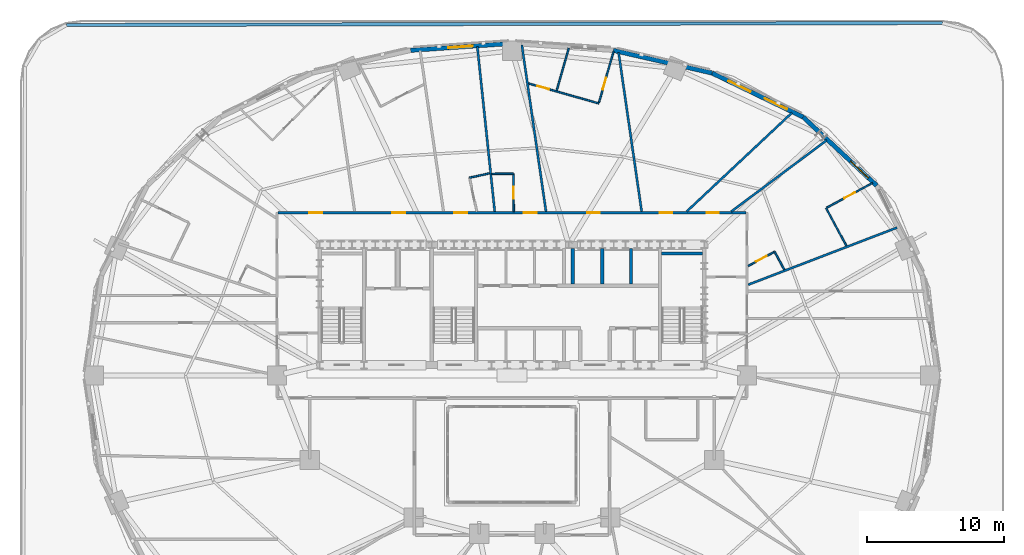
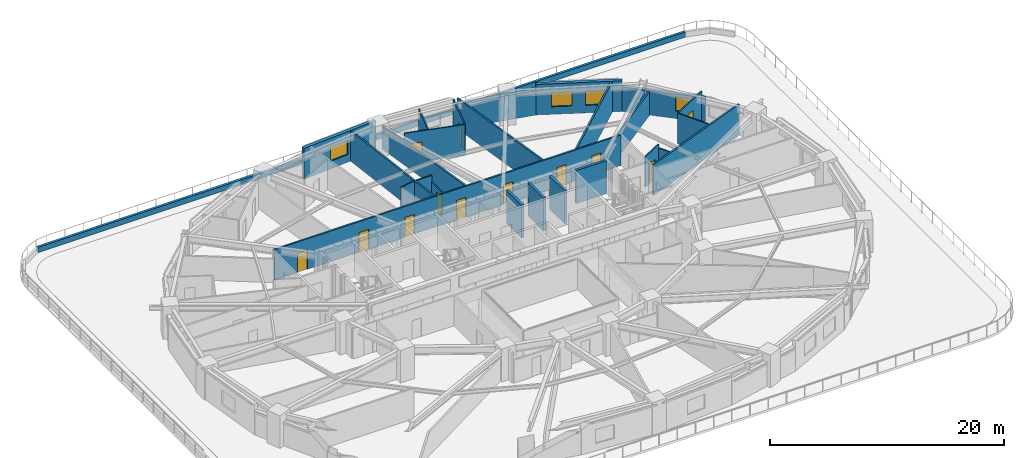
# One storey, part 11 of 18: 26 walls, 12 doors, 4 windows, 16 openings.
"""IFC4 building model written with IfcOpenShell, lengths in metres."""

from ifc_helpers import new_model, si_unit, direction, frame, frame_2d, origin, place, context, subcontext, project, spatial, rectangle, extrude, material, layer, layer_set, type_object, element, fill, save


model = new_model("IFC4")

# Units and contexts
model_context = context("Model", 3, precision=1e-05, world=origin(), true_north=direction((0.0, 1.0)))
body_context = subcontext(model_context, "Body", "Model", "MODEL_VIEW")
ifc_project = project(units=[si_unit("LENGTHUNIT", "METRE"), si_unit("AREAUNIT", "SQUARE_METRE"), si_unit("VOLUMEUNIT", "CUBIC_METRE"), si_unit("PLANEANGLEUNIT", "RADIAN"), si_unit("MASSUNIT", "GRAM", prefix="KILO")], contexts=[model_context])

# Site, building, storey
site_placement = place(None, origin())
site = spatial("IfcSite", under=ifc_project, at=site_placement, CompositionType="ELEMENT")
building_placement = place(site_placement, origin())
building = spatial("IfcBuilding", under=site, at=building_placement, Name="Haldorwick Loom Tower", CompositionType="ELEMENT")
storey_placement = place(building_placement, frame((0.0, 0.0, 24.0)))
storey = spatial("IfcBuildingStorey", under=building, at=storey_placement, Name="L05", CompositionType="ELEMENT", Elevation=24.0)

# Wall, opening, window
ifc_material_1 = material(Name="Pressed Clay Face Brick and Insulated Masonry Backup Assembly", Category="masonry")
ifc_layer_1 = layer(ifc_material_1, 0.320068359375, Name="Pressed Clay Face Brick and Insulated Masonry Backup Assembly", Category="masonry")
ifc_layer_set_1 = layer_set([ifc_layer_1], Name="Pressed Clay Face Brick and Insulated Masonry Backup Assembly")
wall_type_1 = type_object("IfcWallType", Name="ARC-WL-EXT320", PredefinedType="STANDARD", material=ifc_layer_set_1)
wall_1_placement = place(storey_placement, frame((62.688720703125, 39.880859375, 0.0), z_axis=(0.0, 0.0, 1.0), x_axis=(-0.73176101237, 0.681561311091, 0.0)))
wall_1 = element("IfcWall", 1, at=wall_1_placement, inside=storey, type_object=wall_type_1, Name="L05 Brick Pier and Spandrel Wall 3", PredefinedType="STANDARD", context=body_context, shape_type="SweptSolid", body=[
    extrude(rectangle(XDim=7.3583984375, YDim=0.320068359375, at=frame_2d((3.67919921875, 0.0))), origin(), (0.0, 0.0, 1.0), 2.569091796875),
])
opening_1_placement = place(wall_1_placement, frame((0.82177734375, 0.0, 0.800048828125)))
opening_1 = element("IfcOpeningElement", 2, at=opening_1_placement, cuts=wall_1, Name="Opening W-01", PredefinedType="OPENING", context=body_context, shape_type="SweptSolid", body=[
    extrude(rectangle(XDim=1.800048828125, YDim=1.47998046875, at=frame_2d((0.89990234375, 0.739990234375))), frame((0.0, 0.169921875, 0.0), z_axis=(0.0, -1.0, 0.0), x_axis=(1.0, 0.0, 0.0)), (0.0, 0.0, 1.0), 0.340087890625),
])
ifc_material_2 = material(Name="Triple-Glazed Low-E Argon Insulated Glazing Unit", Category="glass")
window_type = type_object("IfcWindowType", Name="ARC-WIN-W180", PartitioningType="SINGLE_PANEL", PredefinedType="WINDOW", material=ifc_material_2)
window_1_placement = place(opening_1_placement, origin())
window_1 = element("IfcWindow", 3, at=window_1_placement, inside=storey, type_object=window_type, Name="L05 Deep-Set Zone 7A Window 3", OverallHeight=1.47998046875, OverallWidth=1.800048828125, PartitioningType="SINGLE_PANEL", PredefinedType="WINDOW", context=body_context, shape_type="SweptSolid", body=[
    extrude(rectangle(XDim=1.800048828125, YDim=1.47998046875, at=frame_2d((0.89990234375, 0.739990234375))), frame((0.0, 0.030029296875, 0.0), z_axis=(0.0, -1.0, 0.0), x_axis=(1.0, 0.0, 0.0)), (0.0, 0.0, 1.0), 0.06005859375),
])
fill(opening_1, window_1)

# Wall, openings, windows
wall_2_placement = place(storey_placement, frame((57.30419921875, 44.89599609375, 0.0), z_axis=(0.0, 0.0, 1.0), x_axis=(-0.900295710431, 0.435278800057, 0.0)))
wall_2 = element("IfcWall", 4, at=wall_2_placement, inside=storey, type_object=wall_type_1, Name="L05 Brick Pier and Spandrel Wall 4", PredefinedType="STANDARD", context=body_context, shape_type="SweptSolid", body=[
    extrude(rectangle(XDim=7.39697265625, YDim=0.320068359375, at=frame_2d((3.698486328125, 0.0))), origin(), (0.0, 0.0, 1.0), 3.2099609375),
])
opening_2_placement = place(wall_2_placement, frame((1.319091796875, 0.0, 0.800048828125)))
opening_2 = element("IfcOpeningElement", 5, at=opening_2_placement, cuts=wall_2, Name="Opening W-01", PredefinedType="OPENING", context=body_context, shape_type="SweptSolid", body=[
    extrude(rectangle(XDim=1.800048828125, YDim=1.47998046875, at=frame_2d((0.89990234375, 0.739990234375))), frame((0.0, 0.169921875, 0.0), z_axis=(0.0, -1.0, 0.0), x_axis=(1.0, 0.0, 0.0)), (0.0, 0.0, 1.0), 0.340087890625),
])
opening_3_placement = place(wall_2_placement, frame((4.27783203125, 0.0, 0.800048828125)))
opening_3 = element("IfcOpeningElement", 6, at=opening_3_placement, cuts=wall_2, Name="Opening W-01", PredefinedType="OPENING", context=body_context, shape_type="SweptSolid", body=[
    extrude(rectangle(XDim=1.800048828125, YDim=1.47998046875, at=frame_2d((0.89990234375, 0.739990234375))), frame((0.0, 0.169921875, 0.0), z_axis=(0.0, -1.0, 0.0), x_axis=(1.0, 0.0, 0.0)), (0.0, 0.0, 1.0), 0.340087890625),
])
window_2_placement = place(opening_2_placement, origin())
window_2 = element("IfcWindow", 7, at=window_2_placement, inside=storey, type_object=window_type, Name="L05 Deep-Set Zone 7A Window 4", OverallHeight=1.47998046875, OverallWidth=1.800048828125, PartitioningType="SINGLE_PANEL", PredefinedType="WINDOW", context=body_context, shape_type="SweptSolid", body=[
    extrude(rectangle(XDim=1.800048828125, YDim=1.47998046875, at=frame_2d((0.89990234375, 0.739990234375))), frame((0.0, 0.030029296875, 0.0), z_axis=(0.0, -1.0, 0.0), x_axis=(1.0, 0.0, 0.0)), (0.0, 0.0, 1.0), 0.06005859375),
])
fill(opening_2, window_2)
window_3_placement = place(opening_3_placement, origin())
window_3 = element("IfcWindow", 8, at=window_3_placement, inside=storey, type_object=window_type, Name="L05 Deep-Set Zone 7A Window 4", OverallHeight=1.47998046875, OverallWidth=1.800048828125, PartitioningType="SINGLE_PANEL", PredefinedType="WINDOW", context=body_context, shape_type="SweptSolid", body=[
    extrude(rectangle(XDim=1.800048828125, YDim=1.47998046875, at=frame_2d((0.89990234375, 0.739990234375))), frame((0.0, 0.030029296875, 0.0), z_axis=(0.0, -1.0, 0.0), x_axis=(1.0, 0.0, 0.0)), (0.0, 0.0, 1.0), 0.06005859375),
])
fill(opening_3, window_3)

# Wall
wall_3_placement = place(storey_placement, frame((50.644775390625, 48.11572265625, 0.0), z_axis=(0.0, 0.0, 1.0), x_axis=(-0.974522412345, 0.224290142088, 0.0)))
element("IfcWall", 9, at=wall_3_placement, inside=storey, type_object=wall_type_1, Name="L05 Brick Pier and Spandrel Wall 5", PredefinedType="STANDARD", context=body_context, shape_type="SweptSolid", body=[
    extrude(rectangle(XDim=7.422607421875, YDim=0.320068359375, at=frame_2d((3.71142578125, 0.0))), origin(), (0.0, 0.0, 1.0), 2.569091796875),
])

# Wall, opening, window
wall_4_placement = place(storey_placement, frame((36.0, 50.2900390625, 0.0), z_axis=(0.0, 0.0, 1.0), x_axis=(-0.997645161917, -0.068586667092, 0.0)))
wall_4 = element("IfcWall", 10, at=wall_4_placement, inside=storey, type_object=wall_type_1, Name="L05 Brick Pier and Spandrel Wall 7", PredefinedType="STANDARD", context=body_context, shape_type="SweptSolid", body=[
    extrude(rectangle(XDim=7.428955078125, YDim=0.320068359375, at=frame_2d((3.71435546875, 0.0))), origin(), (0.0, 0.0, 1.0), 3.2099609375),
])
opening_4_placement = place(wall_4_placement, frame((2.874755859375, 0.0, 0.800048828125)))
opening_4 = element("IfcOpeningElement", 11, at=opening_4_placement, cuts=wall_4, Name="Opening W-01", PredefinedType="OPENING", context=body_context, shape_type="SweptSolid", body=[
    extrude(rectangle(XDim=1.800048828125, YDim=1.47998046875, at=frame_2d((0.89990234375, 0.739990234375))), frame((0.0, 0.169921875, 0.0), z_axis=(0.0, -1.0, 0.0), x_axis=(1.0, 0.0, 0.0)), (0.0, 0.0, 1.0), 0.340087890625),
])
window_4_placement = place(opening_4_placement, origin())
window_4 = element("IfcWindow", 12, at=window_4_placement, inside=storey, type_object=window_type, Name="L05 Deep-Set Zone 7A Window 7", OverallHeight=1.47998046875, OverallWidth=1.800048828125, PartitioningType="SINGLE_PANEL", PredefinedType="WINDOW", context=body_context, shape_type="SweptSolid", body=[
    extrude(rectangle(XDim=1.800048828125, YDim=1.47998046875, at=frame_2d((0.89990234375, 0.739990234375))), frame((0.0, 0.030029296875, 0.0), z_axis=(0.0, -1.0, 0.0), x_axis=(1.0, 0.0, 0.0)), (0.0, 0.0, 1.0), 0.06005859375),
])
fill(opening_4, window_4)

# Wall, openings, doors
ifc_material_3 = material(Name="Fire-Rated Type X Gypsum Stud Assembly EI 60")
ifc_layer_2 = layer(ifc_material_3, 0.159912109375, Name="Fire-Rated Type X Gypsum Stud Assembly EI 60")
ifc_layer_set_2 = layer_set([ifc_layer_2], Name="Fire-Rated Type X Gypsum Stud Assembly EI 60")
wall_type_2 = type_object("IfcWallType", Name="ARC-WL-FIRE160", PredefinedType="PARTITIONING", material=ifc_layer_set_2)
wall_5_placement = place(storey_placement, frame((18.883056640625, 37.89990234375, 0.0), z_axis=(0.0, 0.0, 1.0), x_axis=(1.0, 0.0, 0.0)))
wall_5 = element("IfcWall", 13, at=wall_5_placement, inside=storey, type_object=wall_type_2, Name="L05 Residential Fire Partition L05-CR-N0", PredefinedType="PARTITIONING", context=body_context, shape_type="SweptSolid", body=[
    extrude(rectangle(XDim=34.23388671875, YDim=0.159912109375, at=frame_2d((17.116943359375, 0.0))), origin(), (0.0, 0.0, 1.0), 3.195068359375),
])
opening_5_placement = place(wall_5_placement, frame((22.605224609375, 0.0, 0.0)))
opening_5 = element("IfcOpeningElement", 14, at=opening_5_placement, cuts=wall_5, Name="Opening D-FL95", PredefinedType="OPENING", context=body_context, shape_type="SweptSolid", body=[
    extrude(rectangle(XDim=0.949951171875, YDim=2.0400390625, at=frame_2d((0.47509765625, 1.02001953125))), frame((0.0, 0.08984375, 0.0), z_axis=(0.0, -1.0, 0.0), x_axis=(1.0, 0.0, 0.0)), (0.0, 0.0, 1.0), 0.179931640625),
])
opening_6_placement = place(wall_5_placement, frame((8.359619140625, 0.0, 0.0)))
opening_6 = element("IfcOpeningElement", 15, at=opening_6_placement, cuts=wall_5, Name="Opening D-FL95", PredefinedType="OPENING", context=body_context, shape_type="SweptSolid", body=[
    extrude(rectangle(XDim=0.949951171875, YDim=2.0400390625, at=frame_2d((0.47509765625, 1.02001953125))), frame((0.0, 0.08984375, 0.0), z_axis=(0.0, -1.0, 0.0), x_axis=(1.0, 0.0, 0.0)), (0.0, 0.0, 1.0), 0.179931640625),
])
opening_7_placement = place(wall_5_placement, frame((2.285888671875, 0.0, 0.0)))
opening_7 = element("IfcOpeningElement", 16, at=opening_7_placement, cuts=wall_5, Name="Opening D-FL95", PredefinedType="OPENING", context=body_context, shape_type="SweptSolid", body=[
    extrude(rectangle(XDim=0.949951171875, YDim=2.0400390625, at=frame_2d((0.47509765625, 1.02001953125))), frame((0.0, 0.08984375, 0.0), z_axis=(0.0, -1.0, 0.0), x_axis=(1.0, 0.0, 0.0)), (0.0, 0.0, 1.0), 0.179931640625),
])
opening_8_placement = place(wall_5_placement, frame((27.93115234375, 0.0, 0.0)))
opening_8 = element("IfcOpeningElement", 17, at=opening_8_placement, cuts=wall_5, Name="Opening D-FD60A", PredefinedType="OPENING", context=body_context, shape_type="SweptSolid", body=[
    extrude(rectangle(XDim=0.89990234375, YDim=2.0, at=frame_2d((0.449951171875, 1.0))), frame((0.0, 0.08984375, 0.0), z_axis=(0.0, -1.0, 0.0), x_axis=(1.0, 0.0, 0.0)), (0.0, 0.0, 1.0), 0.179931640625),
])
opening_9_placement = place(wall_5_placement, frame((31.3544921875, 0.0, 0.0)))
opening_9 = element("IfcOpeningElement", 18, at=opening_9_placement, cuts=wall_5, Name="Opening D-FD60A", PredefinedType="OPENING", context=body_context, shape_type="SweptSolid", body=[
    extrude(rectangle(XDim=0.89990234375, YDim=2.0, at=frame_2d((0.449951171875, 1.0))), frame((0.0, 0.08984375, 0.0), z_axis=(0.0, -1.0, 0.0), x_axis=(1.0, 0.0, 0.0)), (0.0, 0.0, 1.0), 0.179931640625),
])
opening_10_placement = place(wall_5_placement, frame((17.96728515625, 0.0, 0.0)))
opening_10 = element("IfcOpeningElement", 19, at=opening_10_placement, cuts=wall_5, Name="Opening D-FL95", PredefinedType="OPENING", context=body_context, shape_type="SweptSolid", body=[
    extrude(rectangle(XDim=0.949951171875, YDim=2.0400390625, at=frame_2d((0.47509765625, 1.02001953125))), frame((0.0, 0.08984375, 0.0), z_axis=(0.0, -1.0, 0.0), x_axis=(1.0, 0.0, 0.0)), (0.0, 0.0, 1.0), 0.179931640625),
])
opening_11_placement = place(wall_5_placement, frame((12.88720703125, 0.0, 0.0)))
opening_11 = element("IfcOpeningElement", 20, at=opening_11_placement, cuts=wall_5, Name="Opening D-FL95", PredefinedType="OPENING", context=body_context, shape_type="SweptSolid", body=[
    extrude(rectangle(XDim=0.949951171875, YDim=2.0400390625, at=frame_2d((0.47509765625, 1.02001953125))), frame((0.0, 0.08984375, 0.0), z_axis=(0.0, -1.0, 0.0), x_axis=(1.0, 0.0, 0.0)), (0.0, 0.0, 1.0), 0.179931640625),
])
ifc_material_4 = material(Name="Hollow Steel Fire Door Assembly", Category="steel")
door_type_1 = type_object("IfcDoorType", Name="ARC-DR-FD60-90", OperationType="NOTDEFINED", PredefinedType="DOOR", material=ifc_material_4)
door_1_placement = place(opening_8_placement, frame((0.89990234375, 0.0, 0.0), z_axis=(0.0, 0.0, 1.0), x_axis=(-1.0, 0.0, 0.0)))
door_1 = element("IfcDoor", 21, at=door_1_placement, inside=storey, type_object=door_type_1, Name="L05 Community Library Hall 12 to L05 North Residential Corridor Door", OperationType="SINGLE_SWING_LEFT", OverallHeight=2.0, OverallWidth=0.89990234375, PredefinedType="DOOR", context=body_context, shape_type="SweptSolid", body=[
    extrude(rectangle(XDim=0.89990234375, YDim=2.0, at=frame_2d((0.449951171875, 1.0))), frame((0.0, 0.02490234375, 0.0), z_axis=(0.0, -1.0, 0.0), x_axis=(1.0, 0.0, 0.0)), (0.0, 0.0, 1.0), 0.050048828125),
])
fill(opening_8, door_1)
door_2_placement = place(opening_9_placement, frame((0.89990234375, 0.0, 0.0), z_axis=(0.0, 0.0, 1.0), x_axis=(-1.0, 0.0, 0.0)))
door_2 = element("IfcDoor", 22, at=door_2_placement, inside=storey, type_object=door_type_1, Name="L05 Remote Work Office 20 to L05 North Residential Corridor Door", OperationType="SINGLE_SWING_LEFT", OverallHeight=2.0, OverallWidth=0.89990234375, PredefinedType="DOOR", context=body_context, shape_type="SweptSolid", body=[
    extrude(rectangle(XDim=0.89990234375, YDim=2.0, at=frame_2d((0.449951171875, 1.0))), frame((0.0, 0.02490234375, 0.0), z_axis=(0.0, -1.0, 0.0), x_axis=(1.0, 0.0, 0.0)), (0.0, 0.0, 1.0), 0.050048828125),
])
fill(opening_9, door_2)
ifc_material_5 = material(Name="Solid Core Birch Architectural Door")
door_type_2 = type_object("IfcDoorType", Name="ARC-DR-FLAT95", OperationType="NOTDEFINED", PredefinedType="DOOR", material=ifc_material_5)
door_3_placement = place(opening_5_placement, frame((0.949951171875, 0.0, 0.0), z_axis=(0.0, 0.0, 1.0), x_axis=(-1.0, 0.0, 0.0)))
door_3 = element("IfcDoor", 23, at=door_3_placement, inside=storey, type_object=door_type_2, Name="L05 Unit 05F Kitchen and Living Room to L05 North Residential Corridor D", OperationType="SINGLE_SWING_LEFT", OverallHeight=2.0400390625, OverallWidth=0.949951171875, PredefinedType="DOOR", context=body_context, shape_type="SweptSolid", body=[
    extrude(rectangle(XDim=0.949951171875, YDim=2.0400390625, at=frame_2d((0.47509765625, 1.02001953125))), frame((0.0, 0.02490234375, 0.0), z_axis=(0.0, -1.0, 0.0), x_axis=(1.0, 0.0, 0.0)), (0.0, 0.0, 1.0), 0.050048828125),
])
fill(opening_5, door_3)
door_4_placement = place(opening_6_placement, frame((0.949951171875, 0.0, 0.0), z_axis=(0.0, 0.0, 1.0), x_axis=(-1.0, 0.0, 0.0)))
door_4 = element("IfcDoor", 24, at=door_4_placement, inside=storey, type_object=door_type_2, Name="L05 Unit 05E Kitchen and Studio Living Room to L05 North Residential Cor", OperationType="SINGLE_SWING_RIGHT", OverallHeight=2.0400390625, OverallWidth=0.949951171875, PredefinedType="DOOR", context=body_context, shape_type="SweptSolid", body=[
    extrude(rectangle(XDim=0.949951171875, YDim=2.0400390625, at=frame_2d((0.47509765625, 1.02001953125))), frame((0.0, 0.02490234375, 0.0), z_axis=(0.0, -1.0, 0.0), x_axis=(1.0, 0.0, 0.0)), (0.0, 0.0, 1.0), 0.050048828125),
])
fill(opening_6, door_4)
door_5_placement = place(opening_7_placement, frame((0.949951171875, 0.0, 0.0), z_axis=(0.0, 0.0, 1.0), x_axis=(-1.0, 0.0, 0.0)))
door_5 = element("IfcDoor", 25, at=door_5_placement, inside=storey, type_object=door_type_2, Name="L05 Unit 05J Kitchen and Living Room to L05 North Residential Corridor D", OperationType="SINGLE_SWING_LEFT", OverallHeight=2.0400390625, OverallWidth=0.949951171875, PredefinedType="DOOR", context=body_context, shape_type="SweptSolid", body=[
    extrude(rectangle(XDim=0.949951171875, YDim=2.0400390625, at=frame_2d((0.47509765625, 1.02001953125))), frame((0.0, 0.02490234375, 0.0), z_axis=(0.0, -1.0, 0.0), x_axis=(1.0, 0.0, 0.0)), (0.0, 0.0, 1.0), 0.050048828125),
])
fill(opening_7, door_5)
door_6_placement = place(opening_10_placement, frame((0.949951171875, 0.0, 0.0), z_axis=(0.0, 0.0, 1.0), x_axis=(-1.0, 0.0, 0.0)))
door_6 = element("IfcDoor", 26, at=door_6_placement, inside=storey, type_object=door_type_2, Name="L05 Unit 05G Kitchen and Studio Living Room to L05 North Residential Cor", OperationType="SINGLE_SWING_LEFT", OverallHeight=2.0400390625, OverallWidth=0.949951171875, PredefinedType="DOOR", context=body_context, shape_type="SweptSolid", body=[
    extrude(rectangle(XDim=0.949951171875, YDim=2.0400390625, at=frame_2d((0.47509765625, 1.02001953125))), frame((0.0, 0.02490234375, 0.0), z_axis=(0.0, -1.0, 0.0), x_axis=(1.0, 0.0, 0.0)), (0.0, 0.0, 1.0), 0.050048828125),
])
fill(opening_10, door_6)
door_7_placement = place(opening_11_placement, frame((0.949951171875, 0.0, 0.0), z_axis=(0.0, 0.0, 1.0), x_axis=(-1.0, 0.0, 0.0)))
door_7 = element("IfcDoor", 27, at=door_7_placement, inside=storey, type_object=door_type_2, Name="L05 Unit 05H Kitchen and Studio Living Room to L05 North Residential Cor", OperationType="SINGLE_SWING_RIGHT", OverallHeight=2.0400390625, OverallWidth=0.949951171875, PredefinedType="DOOR", context=body_context, shape_type="SweptSolid", body=[
    extrude(rectangle(XDim=0.949951171875, YDim=2.0400390625, at=frame_2d((0.47509765625, 1.02001953125))), frame((0.0, 0.02490234375, 0.0), z_axis=(0.0, -1.0, 0.0), x_axis=(1.0, 0.0, 0.0)), (0.0, 0.0, 1.0), 0.050048828125),
])
fill(opening_11, door_7)

# Walls
wall_6_placement = place(storey_placement, frame((38.488037109375, 37.98291015625, 0.0), z_axis=(0.0, 0.0, 1.0), x_axis=(-0.143532305052, 0.989645632237, 0.0)))
element("IfcWall", 28, at=wall_6_placement, inside=storey, type_object=wall_type_2, Name="L05 Residential Fire Partition L05-UPN-17", PredefinedType="PARTITIONING", context=body_context, shape_type="SweptSolid", body=[
    extrude(rectangle(XDim=12.320068359375, YDim=0.159912109375, at=frame_2d((6.16015625, 0.0))), origin(), (0.0, 0.0, 1.0), 2.489990234375),
])
wall_7_placement = place(storey_placement, frame((45.488037109375, 37.98291015625, 0.0), z_axis=(0.0, 0.0, 1.0), x_axis=(-0.143536305261, 0.989645052063, 0.0)))
element("IfcWall", 29, at=wall_7_placement, inside=storey, type_object=wall_type_2, Name="L05 Residential Fire Partition L05-UPN-18", PredefinedType="PARTITIONING", context=body_context, shape_type="SweptSolid", body=[
    extrude(rectangle(XDim=11.763427734375, YDim=0.159912109375, at=frame_2d((5.8818359375, 0.0))), origin(), (0.0, 0.0, 1.0), 3.195068359375),
])
wall_8_placement = place(storey_placement, frame((53.282958984375, 32.63134765625, 0.0), z_axis=(0.0, 0.0, 1.0), x_axis=(0.933635454627, 0.358224563457, 0.0)))
element("IfcWall", 30, at=wall_8_placement, inside=storey, type_object=wall_type_2, Name="L05 Suite Split Wall", PredefinedType="PARTITIONING", context=body_context, shape_type="SweptSolid", body=[
    extrude(rectangle(XDim=11.6669921875, YDim=0.159912109375, at=frame_2d((5.83349609375, 0.0))), origin(), (0.0, 0.0, 1.0), 3.195068359375),
])
wall_9_placement = place(storey_placement, frame((34.736572265625, 37.98291015625, 0.0), z_axis=(0.0, 0.0, 1.0), x_axis=(-0.104862826622, 0.994486695533, 0.0)))
element("IfcWall", 31, at=wall_9_placement, inside=storey, type_object=wall_type_2, Name="L05 Suite Split Wall", PredefinedType="PARTITIONING", context=body_context, shape_type="SweptSolid", body=[
    extrude(rectangle(XDim=12.134521484375, YDim=0.159912109375, at=frame_2d((6.0673828125, 0.0))), origin(), (0.0, 0.0, 1.0), 3.195068359375),
])
wall_10_placement = place(storey_placement, frame((52.041748046875, 37.98291015625, 0.0), z_axis=(0.0, 0.0, 1.0), x_axis=(0.801154220658, 0.59845794733, 0.0)))
element("IfcWall", 32, at=wall_10_placement, inside=storey, type_object=wall_type_2, Name="L05 Suite Split Wall", PredefinedType="PARTITIONING", context=body_context, shape_type="SweptSolid", body=[
    extrude(rectangle(XDim=8.72021484375, YDim=0.159912109375, at=frame_2d((4.360107421875, 0.0))), origin(), (0.0, 0.0, 1.0), 2.489990234375),
])
wall_11_placement = place(storey_placement, frame((48.777099609375, 37.98291015625, 0.0), z_axis=(0.0, 0.0, 1.0), x_axis=(0.729402561597, 0.684084719267, 0.0)))
element("IfcWall", 33, at=wall_11_placement, inside=storey, type_object=wall_type_2, Name="L05 Suite Split Wall", PredefinedType="PARTITIONING", context=body_context, shape_type="SweptSolid", body=[
    extrude(rectangle(XDim=10.5751953125, YDim=0.159912109375, at=frame_2d((5.28759765625, 0.0))), origin(), (0.0, 0.0, 1.0), 3.195068359375),
])
ifc_layer_3 = layer(ifc_material_1, 0.239990234375, Name="Pressed Clay Face Brick and Insulated Masonry Backup Assembly", Category="masonry")
ifc_layer_set_3 = layer_set([ifc_layer_3], Name="Pressed Clay Face Brick and Insulated Masonry Backup Assembly")
wall_type_3 = type_object("IfcWallType", Name="ARC-WL-PARAPET240", PredefinedType="PARAPET", material=ifc_layer_set_3)
wall_12_placement = place(storey_placement, frame((3.392822265625, 51.63232421875, 0.0), z_axis=(0.0, 0.0, 1.0), x_axis=(0.999997344512, 0.002304553862, 0.0)))
element("IfcWall", 34, at=wall_12_placement, inside=storey, type_object=wall_type_3, Name="L05 Terrace Masonry Parapet 4", PredefinedType="PARAPET", context=body_context, shape_type="SweptSolid", body=[
    extrude(rectangle(XDim=64.0927734375, YDim=0.239990234375, at=frame_2d((32.04638671875, 0.0))), origin(), (0.0, 0.0, 1.0), 0.550048828125),
])

# Wall, opening, door
ifc_material_6 = material(Name="Acoustic Gypsum Stud Assembly STC 55")
ifc_layer_4 = layer(ifc_material_6, 0.1201171875, Name="Acoustic Gypsum Stud Assembly STC 55")
ifc_layer_set_4 = layer_set([ifc_layer_4], Name="Acoustic Gypsum Stud Assembly STC 55")
wall_type_4 = type_object("IfcWallType", Name="ARC-WL-PART120", PredefinedType="PARTITIONING", material=ifc_layer_set_4)
wall_13_placement = place(storey_placement, frame((42.347900390625, 45.894287109375, 0.0), z_axis=(0.0, 0.0, 1.0), x_axis=(-0.961845969805, 0.273591539286, 0.0)))
wall_13 = element("IfcWall", 35, at=wall_13_placement, inside=storey, type_object=wall_type_4, Name="L05 Unit 05F Interior Partition", PredefinedType="PARTITIONING", context=body_context, shape_type="SweptSolid", body=[
    extrude(rectangle(XDim=5.3388671875, YDim=0.1201171875, at=frame_2d((2.66943359375, 0.0))), origin(), (0.0, 0.0, 1.0), 3.195068359375),
])
opening_12_placement = place(wall_13_placement, frame((3.78662109375, 0.0, 0.0)))
opening_12 = element("IfcOpeningElement", 36, at=opening_12_placement, cuts=wall_13, Name="Opening D-BT88", PredefinedType="OPENING", context=body_context, shape_type="SweptSolid", body=[
    extrude(rectangle(XDim=0.8798828125, YDim=2.02001953125, at=frame_2d((0.43994140625, 1.010009765625))), frame((0.0, 0.070068359375, 0.0), z_axis=(0.0, -1.0, 0.0), x_axis=(1.0, 0.0, 0.0)), (0.0, 0.0, 1.0), 0.14013671875),
])
door_type_3 = type_object("IfcDoorType", Name="ARC-DR-BATH88", OperationType="NOTDEFINED", PredefinedType="DOOR", material=ifc_material_5)
door_8_placement = place(opening_12_placement, origin())
door_8 = element("IfcDoor", 37, at=door_8_placement, inside=storey, type_object=door_type_3, Name="L05 Unit 05F Kitchen and Living Room to Unit 05F Bathroom Door", OperationType="SINGLE_SWING_LEFT", OverallHeight=2.02001953125, OverallWidth=0.8798828125, PredefinedType="DOOR", context=body_context, shape_type="SweptSolid", body=[
    extrude(rectangle(XDim=0.8798828125, YDim=2.02001953125, at=frame_2d((0.43994140625, 1.010009765625))), frame((0.0, 0.02490234375, 0.0), z_axis=(0.0, -1.0, 0.0), x_axis=(1.0, 0.0, 0.0)), (0.0, 0.0, 1.0), 0.050048828125),
])
fill(opening_12, door_8)

wall_14_placement = place(storey_placement, frame((42.364990234375, 45.955078125, 0.0), z_axis=(0.0, 0.0, 1.0), x_axis=(0.273630310906, 0.961834940597, 0.0)))
wall_14 = element("IfcWall", 38, at=wall_14_placement, inside=storey, type_object=wall_type_4, Name="L05 Unit 05F Interior Partition", PredefinedType="PARTITIONING", context=body_context, shape_type="SweptSolid", body=[
    extrude(rectangle(XDim=3.902587890625, YDim=0.1201171875, at=frame_2d((1.951171875, 0.0))), origin(), (0.0, 0.0, 1.0), 3.195068359375),
])
opening_13_placement = place(wall_14_placement, frame((0.9951171875, 0.0, 0.0)))
opening_13 = element("IfcOpeningElement", 39, at=opening_13_placement, cuts=wall_14, Name="Opening D-IN90", PredefinedType="OPENING", context=body_context, shape_type="SweptSolid", body=[
    extrude(rectangle(XDim=0.89990234375, YDim=2.0400390625, at=frame_2d((0.449951171875, 1.02001953125))), frame((0.0, 0.070068359375, 0.0), z_axis=(0.0, -1.0, 0.0), x_axis=(1.0, 0.0, 0.0)), (0.0, 0.0, 1.0), 0.14013671875),
])
door_type_4 = type_object("IfcDoorType", Name="ARC-DR-INT90", OperationType="NOTDEFINED", PredefinedType="DOOR", material=ifc_material_5)
door_9_placement = place(opening_13_placement, origin())
door_9 = element("IfcDoor", 40, at=door_9_placement, inside=storey, type_object=door_type_4, Name="L05 Unit 05F Bedroom 1 to Unit 05F Kitchen and Living Room Door", OperationType="SINGLE_SWING_LEFT", OverallHeight=2.0400390625, OverallWidth=0.89990234375, PredefinedType="DOOR", context=body_context, shape_type="SweptSolid", body=[
    extrude(rectangle(XDim=0.89990234375, YDim=2.0400390625, at=frame_2d((0.449951171875, 1.02001953125))), frame((0.0, 0.02490234375, 0.0), z_axis=(0.0, -1.0, 0.0), x_axis=(1.0, 0.0, 0.0)), (0.0, 0.0, 1.0), 0.050048828125),
])
fill(opening_13, door_9)

# Walls
wall_15_placement = place(storey_placement, frame((39.272216796875, 46.834716796875, 0.0), z_axis=(0.0, 0.0, 1.0), x_axis=(0.273592038326, 0.961845827856, 0.0)))
element("IfcWall", 41, at=wall_15_placement, inside=storey, type_object=wall_type_4, Name="L05 Unit 05F Interior Partition", PredefinedType="PARTITIONING", context=body_context, shape_type="SweptSolid", body=[
    extrude(rectangle(XDim=3.2275390625, YDim=0.1201171875, at=frame_2d((1.61376953125, 0.0))), origin(), (0.0, 0.0, 1.0), 3.195068359375),
])
wall_16_placement = place(storey_placement, frame((36.107421875, 40.754150390625, 0.0), z_axis=(0.0, 0.0, 1.0), x_axis=(-0.999975783696, -0.006959311826, 0.0)))
element("IfcWall", 42, at=wall_16_placement, inside=storey, type_object=wall_type_4, Name="L05 Unit 05G Interior Partition", PredefinedType="PARTITIONING", context=body_context, shape_type="SweptSolid", body=[
    extrude(rectangle(XDim=1.57861328125, YDim=0.1201171875, at=frame_2d((0.789306640625, 0.0))), origin(), (0.0, 0.0, 1.0), 3.195068359375),
])

# Wall, opening, door
wall_17_placement = place(storey_placement, frame((36.126708984375, 37.98291015625, 0.0), z_axis=(0.0, 0.0, 1.0), x_axis=(-0.006959570678, 0.999975781895, 0.0)))
wall_17 = element("IfcWall", 43, at=wall_17_placement, inside=storey, type_object=wall_type_4, Name="L05 Unit 05G Interior Partition", PredefinedType="PARTITIONING", context=body_context, shape_type="SweptSolid", body=[
    extrude(rectangle(XDim=2.771240234375, YDim=0.1201171875, at=frame_2d((1.3857421875, 0.0))), origin(), (0.0, 0.0, 1.0), 2.489990234375),
])
opening_14_placement = place(wall_17_placement, frame((0.945556640625, 0.0, 0.0)))
opening_14 = element("IfcOpeningElement", 44, at=opening_14_placement, cuts=wall_17, Name="Opening D-BT88", PredefinedType="OPENING", context=body_context, shape_type="SweptSolid", body=[
    extrude(rectangle(XDim=0.8798828125, YDim=2.02001953125, at=frame_2d((0.43994140625, 1.010009765625))), frame((0.0, 0.070068359375, 0.0), z_axis=(0.0, -1.0, 0.0), x_axis=(1.0, 0.0, 0.0)), (0.0, 0.0, 1.0), 0.14013671875),
])
door_10_placement = place(opening_14_placement, origin())
door_10 = element("IfcDoor", 45, at=door_10_placement, inside=storey, type_object=door_type_3, Name="L05 Unit 05G Bathroom to Unit 05G Kitchen and Studio Living Room Door", OperationType="SINGLE_SWING_LEFT", OverallHeight=2.02001953125, OverallWidth=0.8798828125, PredefinedType="DOOR", context=body_context, shape_type="SweptSolid", body=[
    extrude(rectangle(XDim=0.8798828125, YDim=2.02001953125, at=frame_2d((0.43994140625, 1.010009765625))), frame((0.0, 0.02490234375, 0.0), z_axis=(0.0, -1.0, 0.0), x_axis=(1.0, 0.0, 0.0)), (0.0, 0.0, 1.0), 0.050048828125),
])
fill(opening_14, door_10)

# Walls
wall_18_placement = place(storey_placement, frame((34.3583984375, 40.778564453125, 0.0), z_axis=(0.0, 0.0, 1.0), x_axis=(-0.977558557938, -0.210663869236, 0.0)))
element("IfcWall", 46, at=wall_18_placement, inside=storey, type_object=wall_type_4, Name="L05 Unit 05H Interior Partition", PredefinedType="PARTITIONING", context=body_context, shape_type="SweptSolid", body=[
    extrude(rectangle(XDim=1.49853515625, YDim=0.1201171875, at=frame_2d((0.749267578125, 0.0))), origin(), (0.0, 0.0, 1.0), 3.195068359375),
])
wall_19_placement = place(storey_placement, frame((55.9267578125, 33.734619140625, 0.0), z_axis=(0.0, 0.0, 1.0), x_axis=(-0.47536658828, 0.879787819163, 0.0)))
element("IfcWall", 47, at=wall_19_placement, inside=storey, type_object=wall_type_4, Name="L05 Unit 05K Interior Partition", PredefinedType="PARTITIONING", context=body_context, shape_type="SweptSolid", body=[
    extrude(rectangle(XDim=1.493408203125, YDim=0.1201171875, at=frame_2d((0.74658203125, 0.0))), origin(), (0.0, 0.0, 1.0), 2.826904296875),
])

# Wall, opening, door
wall_20_placement = place(storey_placement, frame((53.282958984375, 34.00341796875, 0.0), z_axis=(0.0, 0.0, 1.0), x_axis=(0.879735392277, 0.47546360489, 0.0)))
wall_20 = element("IfcWall", 48, at=wall_20_placement, inside=storey, type_object=wall_type_4, Name="L05 Unit 05K Interior Partition", PredefinedType="PARTITIONING", context=body_context, shape_type="SweptSolid", body=[
    extrude(rectangle(XDim=2.1982421875, YDim=0.1201171875, at=frame_2d((1.09912109375, 0.0))), origin(), (0.0, 0.0, 1.0), 3.195068359375),
])
opening_15_placement = place(wall_20_placement, frame((0.658935546875, 0.0, 0.0)))
opening_15 = element("IfcOpeningElement", 49, at=opening_15_placement, cuts=wall_20, Name="Opening D-BT88", PredefinedType="OPENING", context=body_context, shape_type="SweptSolid", body=[
    extrude(rectangle(XDim=0.8798828125, YDim=2.02001953125, at=frame_2d((0.43994140625, 1.010009765625))), frame((0.0, 0.070068359375, 0.0), z_axis=(0.0, -1.0, 0.0), x_axis=(1.0, 0.0, 0.0)), (0.0, 0.0, 1.0), 0.14013671875),
])
door_11_placement = place(opening_15_placement, origin())
door_11 = element("IfcDoor", 50, at=door_11_placement, inside=storey, type_object=door_type_3, Name="L05 Unit 05K Kitchen and Living Room to Unit 05K Bathroom Door", OperationType="SINGLE_SWING_RIGHT", OverallHeight=2.02001953125, OverallWidth=0.8798828125, PredefinedType="DOOR", context=body_context, shape_type="SweptSolid", body=[
    extrude(rectangle(XDim=0.8798828125, YDim=2.02001953125, at=frame_2d((0.43994140625, 1.010009765625))), frame((0.0, 0.02490234375, 0.0), z_axis=(0.0, -1.0, 0.0), x_axis=(1.0, 0.0, 0.0)), (0.0, 0.0, 1.0), 0.050048828125),
])
fill(opening_15, door_11)

# Wall
wall_21_placement = place(storey_placement, frame((60.4697265625, 35.4775390625, 0.0), z_axis=(0.0, 0.0, 1.0), x_axis=(-0.475394876825, 0.87977253372, 0.0)))
element("IfcWall", 51, at=wall_21_placement, inside=storey, type_object=wall_type_4, Name="L05 Unit 05K Interior Partition", PredefinedType="PARTITIONING", context=body_context, shape_type="SweptSolid", body=[
    extrude(rectangle(XDim=3.13525390625, YDim=0.1201171875, at=frame_2d((1.567626953125, 0.0))), origin(), (0.0, 0.0, 1.0), 3.195068359375),
])

# Wall, opening, door
wall_22_placement = place(storey_placement, frame((59.03466796875, 38.265869140625, 0.0), z_axis=(0.0, 0.0, 1.0), x_axis=(0.879792772197, 0.475357421305, 0.0)))
wall_22 = element("IfcWall", 52, at=wall_22_placement, inside=storey, type_object=wall_type_4, Name="L05 Unit 05K Interior Partition", PredefinedType="PARTITIONING", context=body_context, shape_type="SweptSolid", body=[
    extrude(rectangle(XDim=3.807373046875, YDim=0.1201171875, at=frame_2d((1.90380859375, 0.0))), origin(), (0.0, 0.0, 1.0), 3.195068359375),
])
opening_16_placement = place(wall_22_placement, frame((1.45361328125, 0.0, 0.0)))
opening_16 = element("IfcOpeningElement", 53, at=opening_16_placement, cuts=wall_22, Name="Opening D-IN90", PredefinedType="OPENING", context=body_context, shape_type="SweptSolid", body=[
    extrude(rectangle(XDim=0.89990234375, YDim=2.0400390625, at=frame_2d((0.449951171875, 1.02001953125))), frame((0.0, 0.070068359375, 0.0), z_axis=(0.0, -1.0, 0.0), x_axis=(1.0, 0.0, 0.0)), (0.0, 0.0, 1.0), 0.14013671875),
])
door_12_placement = place(opening_16_placement, origin())
door_12 = element("IfcDoor", 54, at=door_12_placement, inside=storey, type_object=door_type_4, Name="L05 Unit 05K Kitchen and Living Room to Unit 05K Bedroom 1 Door", OperationType="SINGLE_SWING_LEFT", OverallHeight=2.0400390625, OverallWidth=0.89990234375, PredefinedType="DOOR", context=body_context, shape_type="SweptSolid", body=[
    extrude(rectangle(XDim=0.89990234375, YDim=2.0400390625, at=frame_2d((0.449951171875, 1.02001953125))), frame((0.0, 0.02490234375, 0.0), z_axis=(0.0, -1.0, 0.0), x_axis=(1.0, 0.0, 0.0)), (0.0, 0.0, 1.0), 0.050048828125),
])
fill(opening_16, door_12)

# Walls
ifc_material_7 = material(Name="Concrete C50 (50 MPa)", Category="concrete")
ifc_layer_5 = layer(ifc_material_7, 0.239990234375, Name="Concrete C50 (50 MPa)", Category="concrete")
ifc_layer_set_5 = layer_set([ifc_layer_5], Name="Concrete C50 (50 MPa)")
wall_type_5 = type_object("IfcWallType", Name="STR-WL-SHAFT240", PredefinedType="SHEAR", material=ifc_layer_set_5)
wall_23_placement = place(storey_placement, frame((46.952880859375, 34.919921875, 0.0), z_axis=(0.0, 0.0, 1.0), x_axis=(1.0, 0.0, 0.0)))
element("IfcWall", 55, at=wall_23_placement, inside=storey, type_object=wall_type_5, Name="L05 Core Shear Wall 4N", PredefinedType="SHEAR", context=body_context, shape_type="SweptSolid", body=[
    extrude(rectangle(XDim=2.994140625, YDim=0.239990234375, at=frame_2d((1.4970703125, 0.0))), origin(), (0.0, 0.0, 1.0), 3.449951171875),
])
for number, where, z_axis, x_axis, name in (
    (56, (40.449951171875, 32.673095703125, 0.0), (0.0, 0.0, 1.0), (0.0, 1.0, 0.0), "L05 Core Shear Wall H0"),
    (57, (42.60009765625, 32.673095703125, 0.0), (0.0, 0.0, 1.0), (0.0, 1.0, 0.0), "L05 Core Shear Wall H1"),
    (58, (44.699951171875, 32.673095703125, 0.0), (0.0, 0.0, 1.0), (0.0, 1.0, 0.0), "L05 Core Shear Wall H2"),
):
    element("IfcWall", number, at=place(storey_placement, frame(where, z_axis=z_axis, x_axis=x_axis)), inside=storey, type_object=wall_type_5, Name=name, PredefinedType="SHEAR", context=body_context, shape_type="SweptSolid", body=[
        extrude(rectangle(XDim=2.6240234375, YDim=0.239990234375, at=frame_2d((1.31201171875, 0.0))), origin(), (0.0, 0.0, 1.0), 3.449951171875),
    ])

save(model, "model.ifc")
